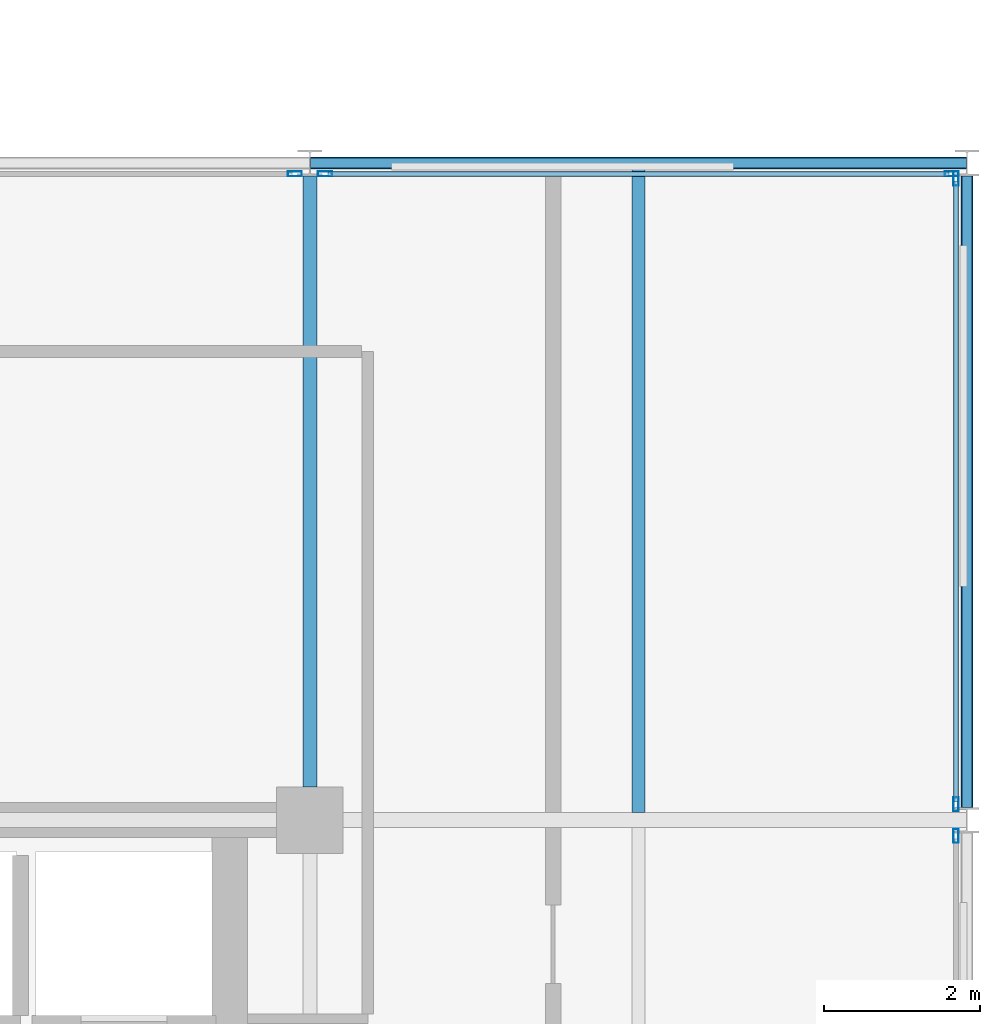
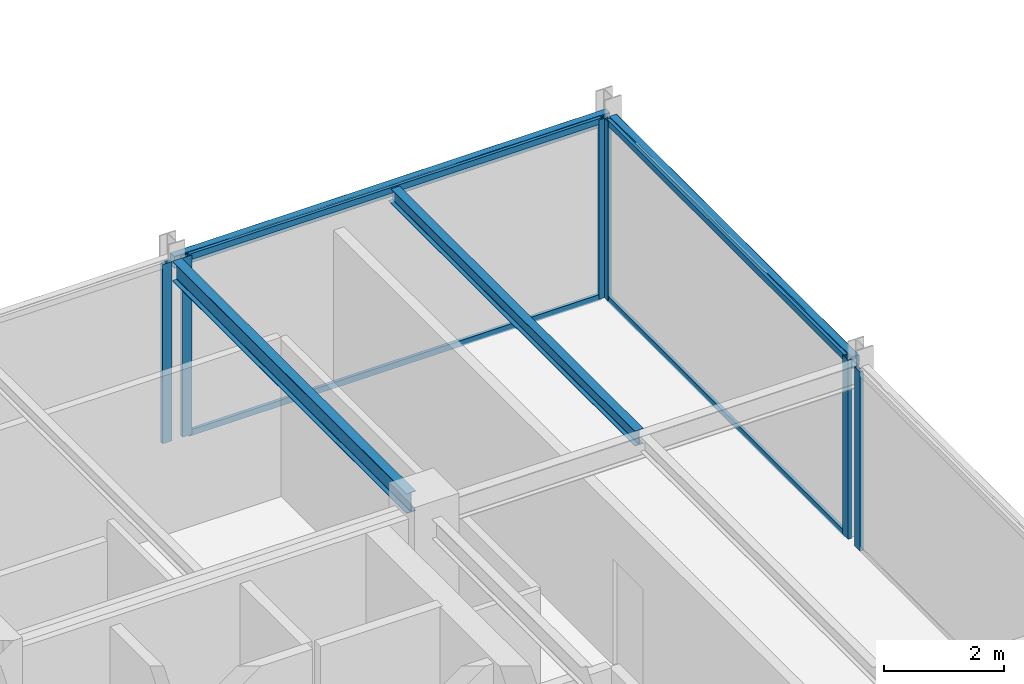
# One storey, part 16 of 26: 10 members, 4 beams, 4 elements without a shape of their own.
"""IFC4 building model written with IfcOpenShell, lengths in metres."""

from ifc_helpers import new_model, si_unit, direction, frame, origin, origin_2d, place, context, subcontext, project, spatial, hollow_rectangle, i_section, extrude, material, layer, layer_set, material_profile, profile_set, type_object, element, aggregate, save


model = new_model("IFC4")

# Units and contexts
model_context = context("Model", 3, precision=1e-05, world=origin(), true_north=direction((0.0, 1.0)))
body_context = subcontext(model_context, "Body", "Model", "MODEL_VIEW")
ifc_project = project(units=[si_unit("LENGTHUNIT", "METRE"), si_unit("AREAUNIT", "SQUARE_METRE"), si_unit("VOLUMEUNIT", "CUBIC_METRE"), si_unit("PLANEANGLEUNIT", "RADIAN"), si_unit("MASSUNIT", "GRAM", prefix="KILO")], contexts=[model_context])

# Site, building, storey
site_placement = place(None, origin())
site = spatial("IfcSite", under=ifc_project, at=site_placement, CompositionType="ELEMENT")
building_placement = place(site_placement, origin())
building = spatial("IfcBuilding", under=site, at=building_placement, Name="Nerrivon Quay Data Exchange", CompositionType="ELEMENT")
storey_placement = place(building_placement, frame((0.0, 0.0, 282.199951171875)))
storey = spatial("IfcBuildingStorey", under=building, at=storey_placement, Name="L67", CompositionType="ELEMENT", Elevation=282.199951171875)

# Beams
ifc_material_1 = material(Name="Steel Grade 350", Category="steel")
ifc_material_profile_1 = material_profile(ifc_material_1, i_section(OverallWidth=0.177978515625, OverallDepth=0.406005859375, WebThickness=0.0078125, FlangeThickness=0.0126953125, FilletRadius=0.011474609375, at=origin_2d()), Name="410UB59.7")
ifc_profile_set_1 = profile_set([ifc_material_profile_1], Name="Steel Grade 350")
beam_type_1 = type_object("IfcBeamType", Name="BM-J1-410UB60", PredefinedType="JOIST", material=ifc_profile_set_1)
beam_1_placement = place(storey_placement, frame((33.60009765625, 17.22509765625, 3.447021484375), z_axis=(0.0, 1.0, 0.0), x_axis=(-1.0, 0.0, 0.0)))
element("IfcBeam", 1, at=beam_1_placement, inside=storey, type_object=beam_type_1, Name="L67 NS Girder X=33.6 (16.8..25.2)", PredefinedType="JOIST", context=body_context, shape_type="SweptSolid", body=[
    extrude(i_section(OverallWidth=0.177978515625, OverallDepth=0.406005859375, WebThickness=0.0078125, FlangeThickness=0.0126953125, FilletRadius=0.011474609375, at=origin_2d()), origin(), (0.0, 0.0, 1.0), 7.8115234375),
])
ifc_material_profile_2 = material_profile(ifc_material_1, i_section(OverallWidth=0.1650390625, OverallDepth=0.303955078125, WebThickness=0.006103515625, FlangeThickness=0.01025390625, FilletRadius=0.011474609375, at=origin_2d()), Name="310UB40.4")
ifc_profile_set_2 = profile_set([ifc_material_profile_2], Name="Steel Grade 350")
beam_type_2 = type_object("IfcBeamType", Name="BM-J6-310UB40", PredefinedType="JOIST", material=ifc_profile_set_2)
beam_2_placement = place(storey_placement, frame((37.800048828125, 16.89501953125, 3.498046875), z_axis=(0.0, 1.0, 0.0), x_axis=(-1.0, 0.0, 0.0)))
element("IfcBeam", 2, at=beam_2_placement, inside=storey, type_object=beam_type_2, Name="L67 Secondary Joist X=37.8 (16.8..25.2)", PredefinedType="JOIST", context=body_context, shape_type="SweptSolid", body=[
    extrude(i_section(OverallWidth=0.1650390625, OverallDepth=0.303955078125, WebThickness=0.006103515625, FlangeThickness=0.01025390625, FilletRadius=0.011474609375, at=origin_2d()), origin(), (0.0, 0.0, 1.0), 8.22998046875),
])
ifc_material_2 = material(Name="Steel Grade C350L0 (350 MPa)", Category="steel")
ifc_material_profile_3 = material_profile(ifc_material_2, hollow_rectangle(XDim=0.14990234375, YDim=0.25, WallThickness=0.009033203125, InnerFilletRadius=0.013427734375, OuterFilletRadius=0.0224609375, at=origin_2d()), Name="250x150x9.0RHS")
ifc_profile_set_3 = profile_set([ifc_material_profile_3], Name="Steel Grade C350L0 (350 MPa)")
beam_type_3 = type_object("IfcBeamType", Name="BM-SP4-250x150RHS", PredefinedType="SPANDREL", material=ifc_profile_set_3)
beam_3_placement = place(storey_placement, frame((33.60791015625, 25.199951171875, 3.525146484375), z_axis=(1.0, 0.0, 0.0), x_axis=(0.0, 1.0, 0.0)))
element("IfcBeam", 3, at=beam_3_placement, inside=storey, type_object=beam_type_3, Name="L67 EW Girder Y=25.2 (33.6..42.0)", PredefinedType="SPANDREL", context=body_context, shape_type="SweptSolid", body=[
    extrude(hollow_rectangle(XDim=0.14990234375, YDim=0.25, WallThickness=0.009033203125, InnerFilletRadius=0.013427734375, OuterFilletRadius=0.0224609375, at=origin_2d()), origin(), (0.0, 0.0, 1.0), 8.38427734375),
])
beam_4_placement = place(storey_placement, frame((42.0, 16.96337890625, 3.525146484375), z_axis=(0.0, 1.0, 0.0), x_axis=(-1.0, 0.0, 0.0)))
element("IfcBeam", 4, at=beam_4_placement, inside=storey, type_object=beam_type_3, Name="L67 NS Girder X=42.0 (16.8..25.2)", PredefinedType="SPANDREL", context=body_context, shape_type="SweptSolid", body=[
    extrude(hollow_rectangle(XDim=0.14990234375, YDim=0.25, WallThickness=0.009033203125, InnerFilletRadius=0.013427734375, OuterFilletRadius=0.0224609375, at=origin_2d()), origin(), (0.0, 0.0, 1.0), 8.0732421875),
])

# Curtain wall, member
ifc_material_3 = material(Name="Anodised aluminium 6063-T6", Category="aluminium")
ifc_layer = layer(ifc_material_3, 0.195068359375)
ifc_layer_set = layer_set([ifc_layer], Name="Anodised aluminium 6063-T6")
curtain_wall_type = type_object("IfcCurtainWallType", Name="CW-SYS-06", PredefinedType="NOTDEFINED", material=ifc_layer_set)
curtain_wall_1_placement = place(storey_placement, origin())
curtain_wall_1 = element("IfcCurtainWall", 5, at=curtain_wall_1_placement, inside=storey, type_object=curtain_wall_type, Name="L67 Unitised Curtain Wall 24", PredefinedType="NOTDEFINED")
ifc_material_profile_4 = material_profile(ifc_material_3, hollow_rectangle(XDim=0.06494140625, YDim=0.179931640625, WallThickness=0.00341796875, at=origin_2d()), Name="ALU-MULL-180x65")
ifc_profile_set_4 = profile_set([ifc_material_profile_4], Name="Anodised aluminium 6063-T6")
member_type_1 = type_object("IfcMemberType", Name="CWM-180x65", PredefinedType="MULLION", material=ifc_profile_set_4)
member_1_placement = place(storey_placement, frame((33.406982421875, 25.06005859375, 0.0), z_axis=(0.0, 0.0, 1.0), x_axis=(0.0, 1.0, 0.0)))
member_1 = element("IfcMember", 6, at=member_1_placement, type_object=member_type_1, Name="CW06 mullion 2", PredefinedType="MULLION", context=body_context, shape_type="SweptSolid", body=[
    extrude(hollow_rectangle(XDim=0.06494140625, YDim=0.179931640625, WallThickness=0.00341796875, at=origin_2d()), origin(), (0.0, 0.0, 1.0), 3.650146484375),
])
aggregate(curtain_wall_1, [member_1])

# Curtain wall, members
curtain_wall_2_placement = place(storey_placement, origin())
curtain_wall_2 = element("IfcCurtainWall", 7, at=curtain_wall_2_placement, inside=storey, type_object=curtain_wall_type, Name="L67 Unitised Curtain Wall 25", PredefinedType="NOTDEFINED")
member_2_placement = place(storey_placement, frame((33.79296875, 25.06005859375, 0.0), z_axis=(0.0, 0.0, 1.0), x_axis=(0.0, 1.0, 0.0)))
member_2 = element("IfcMember", 8, at=member_2_placement, type_object=member_type_1, Name="CW06 mullion 1", PredefinedType="MULLION", context=body_context, shape_type="SweptSolid", body=[
    extrude(hollow_rectangle(XDim=0.06494140625, YDim=0.179931640625, WallThickness=0.00341796875, at=origin_2d()), origin(), (0.0, 0.0, 1.0), 3.650146484375),
])
member_3_placement = place(storey_placement, frame((41.806884765625, 25.06005859375, 0.0), z_axis=(0.0, 0.0, 1.0), x_axis=(0.0, 1.0, 0.0)))
member_3 = element("IfcMember", 9, at=member_3_placement, type_object=member_type_1, Name="CW06 mullion 2", PredefinedType="MULLION", context=body_context, shape_type="SweptSolid", body=[
    extrude(hollow_rectangle(XDim=0.06494140625, YDim=0.179931640625, WallThickness=0.00341796875, at=origin_2d()), origin(), (0.0, 0.0, 1.0), 3.650146484375),
])

curtain_wall_3_placement = place(storey_placement, origin())
curtain_wall_3 = element("IfcCurtainWall", 10, at=curtain_wall_3_placement, inside=storey, type_object=curtain_wall_type, Name="L67 Unitised Curtain Wall 26", PredefinedType="NOTDEFINED")
member_4_placement = place(storey_placement, frame((41.860107421875, 24.9990234375, 0.0), z_axis=(0.0, 0.0, 1.0), x_axis=(1.0, 0.0, 0.0)))
member_4 = element("IfcMember", 11, at=member_4_placement, type_object=member_type_1, Name="CW06 mullion 1", PredefinedType="MULLION", context=body_context, shape_type="SweptSolid", body=[
    extrude(hollow_rectangle(XDim=0.06494140625, YDim=0.179931640625, WallThickness=0.00341796875, at=origin_2d()), origin(), (0.0, 0.0, 1.0), 3.650146484375),
])
member_5_placement = place(storey_placement, frame((41.860107421875, 17.0009765625, 0.0), z_axis=(0.0, 0.0, 1.0), x_axis=(1.0, 0.0, 0.0)))
member_5 = element("IfcMember", 12, at=member_5_placement, type_object=member_type_1, Name="CW06 mullion 2", PredefinedType="MULLION", context=body_context, shape_type="SweptSolid", body=[
    extrude(hollow_rectangle(XDim=0.06494140625, YDim=0.179931640625, WallThickness=0.00341796875, at=origin_2d()), origin(), (0.0, 0.0, 1.0), 3.650146484375),
])

# Curtain wall, member
curtain_wall_4_placement = place(storey_placement, origin())
curtain_wall_4 = element("IfcCurtainWall", 13, at=curtain_wall_4_placement, inside=storey, type_object=curtain_wall_type, Name="L67 Unitised Curtain Wall 27", PredefinedType="NOTDEFINED")
member_6_placement = place(storey_placement, frame((41.860107421875, 16.59912109375, 0.0), z_axis=(0.0, 0.0, 1.0), x_axis=(1.0, 0.0, 0.0)))
member_6 = element("IfcMember", 14, at=member_6_placement, type_object=member_type_1, Name="CW06 mullion 1", PredefinedType="MULLION", context=body_context, shape_type="SweptSolid", body=[
    extrude(hollow_rectangle(XDim=0.06494140625, YDim=0.179931640625, WallThickness=0.00341796875, at=origin_2d()), origin(), (0.0, 0.0, 1.0), 3.650146484375),
])
aggregate(curtain_wall_4, [member_6])

# Member
ifc_material_profile_5 = material_profile(ifc_material_3, hollow_rectangle(XDim=0.06005859375, YDim=0.1201171875, WallThickness=0.003173828125, at=origin_2d()), Name="ALU-TRAN-120x60")
ifc_profile_set_5 = profile_set([ifc_material_profile_5], Name="Anodised aluminium 6063-T6")
member_type_2 = type_object("IfcMemberType", Name="CWT-120x60", PredefinedType="USERDEFINED", material=ifc_profile_set_5)
member_7_placement = place(storey_placement, frame((33.83056640625, 25.06005859375, 0.032470703125), z_axis=(1.0, 0.0, 0.0), x_axis=(0.0, 1.0, 0.0)))
member_7 = element("IfcMember", 15, at=member_7_placement, type_object=member_type_2, Name="CW06 transom 1.1", ObjectType="TRANSOM", PredefinedType="USERDEFINED", context=body_context, shape_type="SweptSolid", body=[
    extrude(hollow_rectangle(XDim=0.06005859375, YDim=0.1201171875, WallThickness=0.003173828125, at=origin_2d()), origin(), (0.0, 0.0, 1.0), 7.93896484375),
])

member_8_placement = place(storey_placement, frame((33.83056640625, 25.06005859375, 3.617431640625), z_axis=(1.0, 0.0, 0.0), x_axis=(0.0, 1.0, 0.0)))
member_8 = element("IfcMember", 16, at=member_8_placement, type_object=member_type_2, Name="CW06 transom 1.2", ObjectType="TRANSOM", PredefinedType="USERDEFINED", context=body_context, shape_type="SweptSolid", body=[
    extrude(hollow_rectangle(XDim=0.06005859375, YDim=0.1201171875, WallThickness=0.003173828125, at=origin_2d()), origin(), (0.0, 0.0, 1.0), 7.93896484375),
])

aggregate(curtain_wall_2, [member_2, member_3, member_7, member_8])

member_9_placement = place(storey_placement, frame((41.860107421875, 24.96142578125, 0.032470703125), z_axis=(0.0, -1.0, 0.0), x_axis=(1.0, 0.0, 0.0)))
member_9 = element("IfcMember", 17, at=member_9_placement, type_object=member_type_2, Name="CW06 transom 1.1", ObjectType="TRANSOM", PredefinedType="USERDEFINED", context=body_context, shape_type="SweptSolid", body=[
    extrude(hollow_rectangle(XDim=0.06005859375, YDim=0.1201171875, WallThickness=0.003173828125, at=origin_2d()), origin(), (0.0, 0.0, 1.0), 7.9228515625),
])

member_10_placement = place(storey_placement, frame((41.860107421875, 24.96142578125, 3.617431640625), z_axis=(0.0, -1.0, 0.0), x_axis=(1.0, 0.0, 0.0)))
member_10 = element("IfcMember", 18, at=member_10_placement, type_object=member_type_2, Name="CW06 transom 1.2", ObjectType="TRANSOM", PredefinedType="USERDEFINED", context=body_context, shape_type="SweptSolid", body=[
    extrude(hollow_rectangle(XDim=0.06005859375, YDim=0.1201171875, WallThickness=0.003173828125, at=origin_2d()), origin(), (0.0, 0.0, 1.0), 7.9228515625),
])

aggregate(curtain_wall_3, [member_4, member_5, member_9, member_10])

save(model, "model.ifc")
